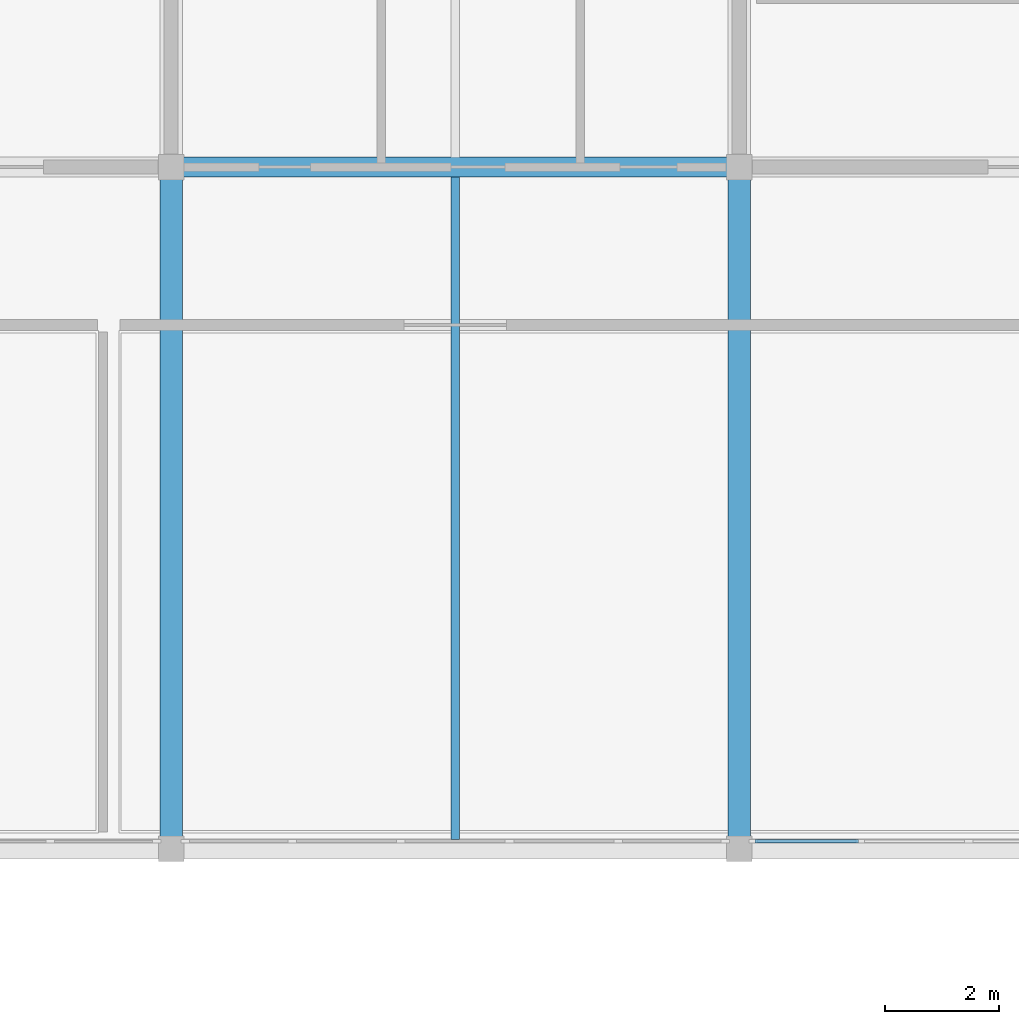
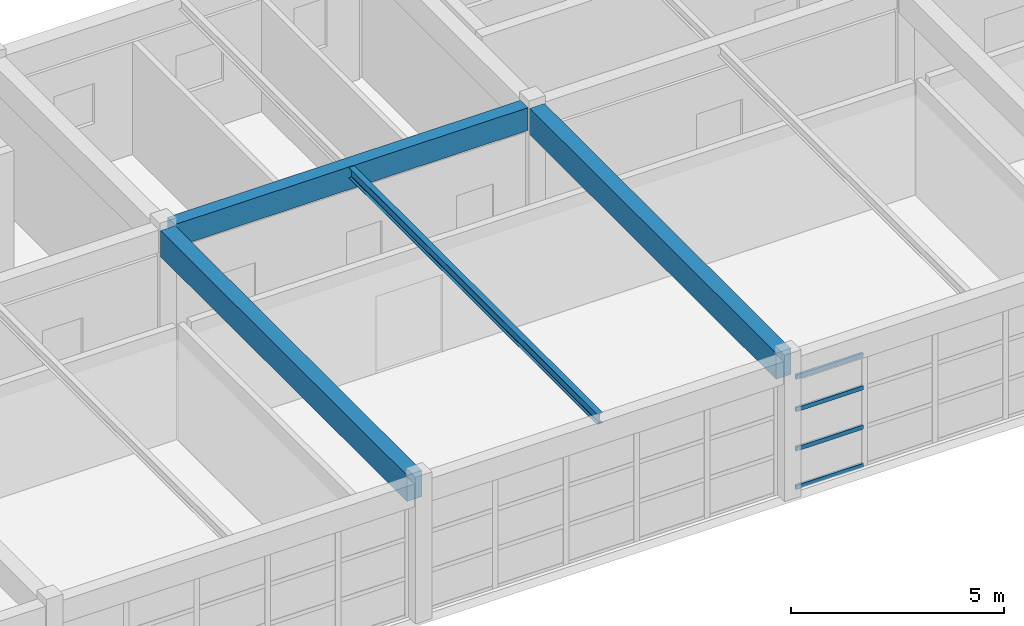
# One storey, part 5 of 16: 4 beams, 4 members, 1 element without a shape of its own.
"""IFC4 building model written with IfcOpenShell, lengths in metres."""

from ifc_helpers import new_model, si_unit, direction, frame, origin, origin_2d, place, context, subcontext, project, spatial, rectangle, i_section, extrude, material, layer, layer_set, material_profile, profile_set, type_object, element, aggregate, save


model = new_model("IFC4")

# Units and contexts
model_context = context("Model", 3, precision=1e-05, world=origin(), true_north=direction((0.0, 1.0)))
body_context = subcontext(model_context, "Body", "Model", "MODEL_VIEW")
ifc_project = project(units=[si_unit("LENGTHUNIT", "METRE"), si_unit("AREAUNIT", "SQUARE_METRE"), si_unit("VOLUMEUNIT", "CUBIC_METRE"), si_unit("PLANEANGLEUNIT", "RADIAN"), si_unit("MASSUNIT", "GRAM", prefix="KILO")], contexts=[model_context])

# Site, building, storey
site_placement = place(None, origin())
site = spatial("IfcSite", under=ifc_project, at=site_placement, CompositionType="ELEMENT")
building_placement = place(site_placement, origin())
building = spatial("IfcBuilding", under=site, at=building_placement, Name="Kivolera Central Railway Station", CompositionType="ELEMENT")
storey_placement = place(building_placement, frame((0.0, 0.0, 27.0)))
storey = spatial("IfcBuildingStorey", under=building, at=storey_placement, Name="L06", CompositionType="ELEMENT", Elevation=27.0)

# Beams
ifc_material_1 = material(Name="Steel S355", Category="steel")
ifc_material_profile_1 = material_profile(ifc_material_1, i_section(OverallWidth=0.14990234375, OverallDepth=0.300048828125, WebThickness=0.007080078125, FlangeThickness=0.0107421875, FilletRadius=0.014892578125, at=origin_2d()), Name="IPE 300")
ifc_profile_set_1 = profile_set([ifc_material_profile_1], Name="Steel S355")
beam_type_1 = type_object("IfcBeamType", Name="BM-JST-IPE300", PredefinedType="JOIST", material=ifc_profile_set_1)
beam_1_placement = place(storey_placement, frame((143.0, 114.1669921875, 3.818115234375), z_axis=(0.0, 1.0, 0.0), x_axis=(-1.0, 0.0, 0.0)))
element("IfcBeam", 1, at=beam_1_placement, inside=storey, type_object=beam_type_1, Name="L06 Floor Joist 14-15/K-L", PredefinedType="JOIST", context=body_context, shape_type="SweptSolid", body=[
    extrude(i_section(OverallWidth=0.14990234375, OverallDepth=0.300048828125, WebThickness=0.007080078125, FlangeThickness=0.0107421875, FilletRadius=0.014892578125, at=origin_2d()), origin(), (0.0, 0.0, 1.0), 11.666015625),
])
ifc_material_2 = material(Name="Concrete C40/50", Category="concrete")
ifc_material_profile_2 = material_profile(ifc_material_2, rectangle(XDim=0.35009765625, YDim=0.64990234375, at=origin_2d()), Name="RC 350x650")
ifc_profile_set_2 = profile_set([ifc_material_profile_2], Name="Concrete C40/50")
beam_type_2 = type_object("IfcBeamType", Name="BM-RC-350x650", PredefinedType="BEAM", material=ifc_profile_set_2)
beam_2_placement = place(storey_placement, frame((138.217041015625, 126.0, 3.655029296875), z_axis=(1.0, 0.0, 0.0), x_axis=(0.0, 1.0, 0.0)))
element("IfcBeam", 2, at=beam_2_placement, inside=storey, type_object=beam_type_2, Name="L06 Wing X-Beam L:14-15", PredefinedType="BEAM", context=body_context, shape_type="SweptSolid", body=[
    extrude(rectangle(XDim=0.35009765625, YDim=0.64990234375, at=origin_2d()), origin(), (0.0, 0.0, 1.0), 9.56591796875),
])
ifc_material_profile_3 = material_profile(ifc_material_2, rectangle(XDim=0.39990234375, YDim=0.75, at=origin_2d()), Name="RC 400x750")
ifc_profile_set_3 = profile_set([ifc_material_profile_3], Name="Concrete C40/50")
beam_type_3 = type_object("IfcBeamType", Name="BM-RC-400x750", PredefinedType="BEAM", material=ifc_profile_set_3)
for number, where, z_axis, x_axis, name in (
    (3, (138.0, 114.217041015625, 3.60498046875), (0.0, 1.0, 0.0), (-1.0, 0.0, 0.0), "L06 Wing Y-Beam 14:K-L"),
    (4, (148.0, 114.217041015625, 3.60498046875), (0.0, 1.0, 0.0), (-1.0, 0.0, 0.0), "L06 Wing Y-Beam 15:K-L"),
):
    element("IfcBeam", number, at=place(storey_placement, frame(where, z_axis=z_axis, x_axis=x_axis)), inside=storey, type_object=beam_type_3, Name=name, PredefinedType="BEAM", context=body_context, shape_type="SweptSolid", body=[
        extrude(rectangle(XDim=0.39990234375, YDim=0.75, at=origin_2d()), origin(), (0.0, 0.0, 1.0), 11.56591796875),
    ])

# Curtain wall, members
ifc_material_3 = material(Name="Anodised aluminium", Category="aluminium")
ifc_layer = layer(ifc_material_3, 0.179931640625, Name="Anodised aluminium")
ifc_layer_set = layer_set([ifc_layer], Name="Anodised aluminium")
curtain_wall_type = type_object("IfcCurtainWallType", Name="CW-SYS-34", PredefinedType="NOTDEFINED", material=ifc_layer_set)
curtain_wall_placement = place(storey_placement, origin())
curtain_wall = element("IfcCurtainWall", 5, at=curtain_wall_placement, inside=storey, type_object=curtain_wall_type, Name="L06 Curtain Wall CW-L06-SOUTH-4", PredefinedType="NOTDEFINED")
ifc_material_profile_4 = material_profile(ifc_material_3, rectangle(XDim=0.06005859375, YDim=0.1201171875, at=origin_2d()), Name="ALU TRAN 60x120")
ifc_profile_set_4 = profile_set([ifc_material_profile_4], Name="Anodised aluminium")
member_type = type_object("IfcMemberType", Name="CWM-TRN-2", PredefinedType="USERDEFINED", material=ifc_profile_set_4)
member_1_placement = place(storey_placement, frame((150.10205078125, 114.135009765625, 0.030029296875), z_axis=(-1.0, 0.0, 0.0), x_axis=(0.0, -1.0, 0.0)))
member_1 = element("IfcMember", 6, at=member_1_placement, type_object=member_type, Name="CW-34 transom 5.1", ObjectType="TRANSOM", PredefinedType="USERDEFINED", context=body_context, shape_type="SweptSolid", body=[
    extrude(rectangle(XDim=0.06005859375, YDim=0.1201171875, at=origin_2d()), origin(), (0.0, 0.0, 1.0), 1.822021484375),
])
member_2_placement = place(storey_placement, frame((150.10205078125, 114.135009765625, 1.126220703125), z_axis=(-1.0, 0.0, 0.0), x_axis=(0.0, -1.0, 0.0)))
member_2 = element("IfcMember", 7, at=member_2_placement, type_object=member_type, Name="CW-34 transom 5.2", ObjectType="TRANSOM", PredefinedType="USERDEFINED", context=body_context, shape_type="SweptSolid", body=[
    extrude(rectangle(XDim=0.06005859375, YDim=0.1201171875, at=origin_2d()), origin(), (0.0, 0.0, 1.0), 1.822021484375),
])
member_3_placement = place(storey_placement, frame((150.10205078125, 114.135009765625, 2.252685546875), z_axis=(-1.0, 0.0, 0.0), x_axis=(0.0, -1.0, 0.0)))
member_3 = element("IfcMember", 8, at=member_3_placement, type_object=member_type, Name="CW-34 transom 5.3", ObjectType="TRANSOM", PredefinedType="USERDEFINED", context=body_context, shape_type="SweptSolid", body=[
    extrude(rectangle(XDim=0.06005859375, YDim=0.1201171875, at=origin_2d()), origin(), (0.0, 0.0, 1.0), 1.822021484375),
])
member_4_placement = place(storey_placement, frame((150.10205078125, 114.135009765625, 3.18798828125), z_axis=(-1.0, 0.0, 0.0), x_axis=(0.0, -1.0, 0.0)))
member_4 = element("IfcMember", 9, at=member_4_placement, type_object=member_type, Name="CW-34 transom 5.4", ObjectType="TRANSOM", PredefinedType="USERDEFINED", context=body_context, shape_type="SweptSolid", body=[
    extrude(rectangle(XDim=0.06005859375, YDim=0.1201171875, at=origin_2d()), origin(), (0.0, 0.0, 1.0), 1.822021484375),
])
aggregate(curtain_wall, [member_1, member_2, member_3, member_4])

save(model, "model.ifc")
